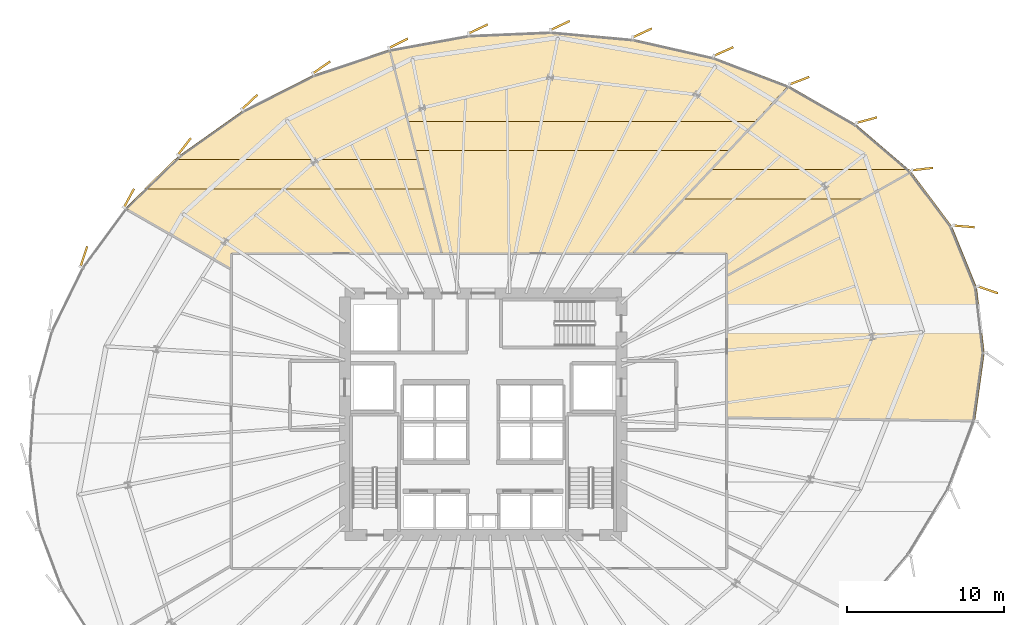
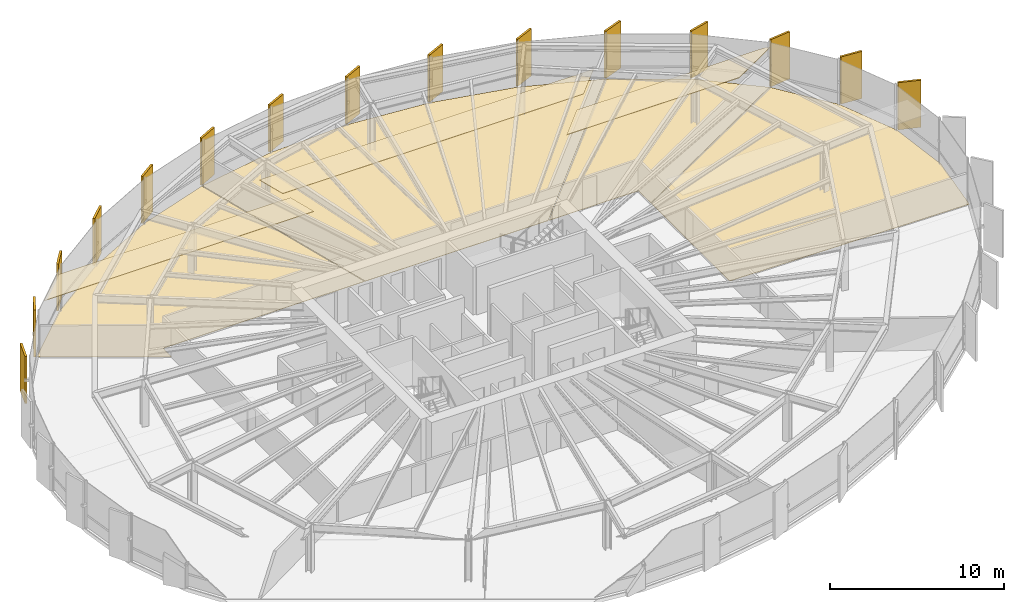
# One storey, part 35 of 35: 22 coverings.
"""IFC4 building model written with IfcOpenShell, lengths in metres."""

from ifc_helpers import new_model, si_unit, direction, frame, origin, origin_2d, place, context, subcontext, project, spatial, polyline, rectangle, outline, extrude, source, transform, mapped, material, layer, layer_set, type_object, element, save


model = new_model("IFC4")

# Units and contexts
model_context = context("Model", 3, precision=1e-05, world=origin(), true_north=direction((0.0, 1.0)))
body_context = subcontext(model_context, "Body", "Model", "MODEL_VIEW")
ifc_project = project(units=[si_unit("LENGTHUNIT", "METRE"), si_unit("AREAUNIT", "SQUARE_METRE"), si_unit("VOLUMEUNIT", "CUBIC_METRE"), si_unit("PLANEANGLEUNIT", "RADIAN"), si_unit("MASSUNIT", "GRAM", prefix="KILO"), si_unit("THERMODYNAMICTEMPERATUREUNIT", "KELVIN")], contexts=[model_context])

# Site, building, storey
site_placement = place(None, origin())
site = spatial("IfcSite", under=ifc_project, at=site_placement, CompositionType="ELEMENT")
building_placement = place(site_placement, origin())
building = spatial("IfcBuilding", under=site, at=building_placement, Name="Kethvar Cultural Tower", CompositionType="ELEMENT")
storey_placement = place(building_placement, frame((0.0, 0.0, 92.800048828125)))
storey = spatial("IfcBuildingStorey", under=building, at=storey_placement, Name="L22", CompositionType="ELEMENT", Elevation=92.800048828125)

# Coverings
ifc_material_1 = material(Name="Acoustic Mineral Fibre Ceiling")
ifc_layer_1 = layer(ifc_material_1, 0.0400390625, Name="Acoustic Mineral Fibre Ceiling")
ifc_layer_set_1 = layer_set([ifc_layer_1], Name="Acoustic Mineral Fibre Ceiling (40 mm)")
covering_type_1 = type_object("IfcCoveringType", Name="CV-ACOUSTIC-CEIL", PredefinedType="CEILING", material=ifc_layer_set_1)
covering_1_placement = place(storey_placement, frame((0.0, 0.0, 2.780029296875)))
element("IfcCovering", 1, at=covering_1_placement, inside=storey, type_object=covering_type_1, Name="L22 Room 06 Acoustic Ceiling Panel", PredefinedType="CEILING", context=body_context, shape_type="SweptSolid", body=[
    extrude(outline(polyline([(74.0732421875, 43.289794921875), (71.01611328125, 41.523681640625), (59.544921875, 41.523681640625), (61.285400390625, 43.3935546875), (73.951904296875, 43.3935546875), (74.0732421875, 43.289794921875)])), origin(), (0.0, 0.0, 1.0), 0.0400390625),
])
covering_2_placement = place(storey_placement, frame((0.0, 0.0, 2.780029296875)))
element("IfcCovering", 2, at=covering_2_placement, inside=storey, type_object=covering_type_1, Name="L22 Room 07 Acoustic Ceiling Panel", PredefinedType="CEILING", context=body_context, shape_type="SweptSolid", body=[
    extrude(outline(polyline([(62.4462890625, 44.582275390625), (42.470458984375, 44.582275390625), (41.990234375, 46.4521484375), (64.1865234375, 46.4521484375), (62.4462890625, 44.582275390625)])), origin(), (0.0, 0.0, 1.0), 0.0400390625),
])
covering_3_placement = place(storey_placement, frame((0.0, 0.0, 2.780029296875)))
element("IfcCovering", 3, at=covering_3_placement, inside=storey, type_object=covering_type_1, Name="L22 Room 08 Acoustic Ceiling Panel", PredefinedType="CEILING", context=body_context, shape_type="SweptSolid", body=[
    extrude(outline(polyline([(43.13818359375, 42.142333984375), (25.2158203125, 42.142333984375), (27.135009765625, 44.012451171875), (42.657958984375, 44.012451171875), (43.13818359375, 42.142333984375)])), origin(), (0.0, 0.0, 1.0), 0.0400390625),
])
ifc_material_2 = material(Name="Architectural Oak Timber", Category="wood")
ifc_layer_2 = layer(ifc_material_2, 0.02490234375, Name="Architectural Oak Timber", Category="wood")
ifc_layer_set_2 = layer_set([ifc_layer_2], Name="Architectural Oak Timber (25 mm)")
covering_type_2 = type_object("IfcCoveringType", Name="CV-OAK-FLOOR", PredefinedType="FLOORING", material=ifc_layer_set_2)
covering_4_placement = place(storey_placement, origin())
element("IfcCovering", 4, at=covering_4_placement, inside=storey, type_object=covering_type_2, Name="L22 Room 05 Floor Finish", PredefinedType="FLOORING", context=body_context, shape_type="SweptSolid", body=[
    extrude(outline(polyline([(78.1259765625, 27.392333984375), (62.330078125, 27.60791015625), (62.330078125, 36.593017578125), (74.0546875, 43.24853515625), (76.656982421875, 39.763671875), (78.239013671875, 35.872314453125), (78.7275390625, 31.699951171875), (78.1259765625, 27.392333984375)])), origin(), (0.0, 0.0, 1.0), 0.02490234375),
])
covering_5_placement = place(storey_placement, origin())
element("IfcCovering", 5, at=covering_5_placement, inside=storey, type_object=covering_type_2, Name="L22 Room 06 Floor Finish", PredefinedType="FLOORING", context=body_context, shape_type="SweptSolid", body=[
    extrude(outline(polyline([(70.526611328125, 46.268798828125), (74.025634765625, 43.278076171875), (62.330078125, 36.638916015625), (62.31396484375, 38.0595703125), (56.376220703125, 38.06005859375), (66.283203125, 48.704833984375), (70.526611328125, 46.268798828125)])), origin(), (0.0, 0.0, 1.0), 0.02490234375),
])
covering_6_placement = place(storey_placement, origin())
element("IfcCovering", 6, at=covering_6_placement, inside=storey, type_object=covering_type_2, Name="L22 Room 07 Floor Finish", PredefinedType="FLOORING", context=body_context, shape_type="SweptSolid", body=[
    extrude(outline(polyline([(45.88720703125, 51.94921875), (51.101806640625, 52.170654296875), (56.35498046875, 51.69482421875), (61.477294921875, 50.53369140625), (66.244384765625, 48.721923828125), (56.321533203125, 38.06005859375), (44.186279296875, 38.06005859375), (40.855712890625, 51.0322265625), (45.88720703125, 51.94921875)])), origin(), (0.0, 0.0, 1.0), 0.02490234375),
])
covering_7_placement = place(storey_placement, origin())
element("IfcCovering", 7, at=covering_7_placement, inside=storey, type_object=covering_type_2, Name="L22 Room 08 Floor Finish", PredefinedType="FLOORING", context=body_context, shape_type="SweptSolid", body=[
    extrude(outline(polyline([(27.464111328125, 44.27734375), (31.501953125, 47.138427734375), (36.0048828125, 49.411865234375), (40.81689453125, 51.022216796875), (44.14501953125, 38.06005859375), (30.76806640625, 38.059814453125), (30.75, 37.064453125), (24.031494140625, 40.9326171875), (27.464111328125, 44.27734375)])), origin(), (0.0, 0.0, 1.0), 0.02490234375),
])
ifc_material_3 = material(Name="Extruded Architectural Terracotta", Category="masonry")
ifc_layer_3 = layer(ifc_material_3, 0.135009765625, Name="Extruded Architectural Terracotta", Category="masonry")
ifc_layer_set_3 = layer_set([ifc_layer_3], Name="Extruded Architectural Terracotta (135 mm)")
covering_type_3 = type_object("IfcCoveringType", Name="Terracotta Facade Fin FIN-02", PredefinedType="CLADDING", material=ifc_layer_set_3)
shared_shape = source(origin(), body_context, "Body", "SweptSolid", [
    extrude(rectangle(XDim=1.35009765625, YDim=0.135009765625, at=origin_2d()), origin(), (0.0, 0.0, 1.0), 3.31005859375),
])
for number, where, z_axis, x_axis, name in (
    (8, (78.955810546875, 35.72314453125, 0.02001953125), (0.0, 0.0, 1.0), (0.945234103797, -0.326393150999, 0.0), "L22 Vertical Terracotta Fin 1.1"),
    (9, (77.41162109375, 39.764892578125, 0.02001953125), (0.0, 0.0, 1.0), (0.996478239533, -0.083851762871, 0.0), "L22 Vertical Terracotta Fin 1.2"),
    (10, (74.78271484375, 43.414306640625, 0.02001953125), (0.0, 0.0, 1.0), (0.993190997297, 0.116497394345, 0.0), "L22 Vertical Terracotta Fin 1.3"),
    (11, (71.229736328125, 46.53076171875, 0.02001953125), (0.0, 0.0, 1.0), (0.965336098699, 0.261009993198, 0.0), "L22 Vertical Terracotta Fin 1.4"),
    (12, (66.93896484375, 49.043701171875, 0.02001953125), (0.0, 0.0, 1.0), (0.935258823614, 0.353964592652, 0.0), "L22 Vertical Terracotta Fin 1.5"),
    (13, (62.117919921875, 50.904296875, 0.02001953125), (0.0, 0.0, 1.0), (0.914324651855, 0.404982013193, 0.0), "L22 Vertical Terracotta Fin 1.6"),
    (14, (56.937744140625, 52.083984375, 0.02001953125), (0.0, 0.0, 1.0), (0.905642821984, 0.424041364714, 0.0), "L22 Vertical Terracotta Fin 2.1"),
    (15, (51.70947265625, 52.55859375, 0.02001953125), (0.0, 0.0, 1.0), (0.904529581968, 0.426410876203, 0.0), "L22 Vertical Terracotta Fin 2.2"),
    (16, (46.481201171875, 52.33544921875, 0.02001953125), (0.0, 0.0, 1.0), (0.90475272618, 0.425937207192, 0.0), "L22 Vertical Terracotta Fin 2.3"),
    (17, (41.409423828125, 51.425048828125, 0.02001953125), (0.0, 0.0, 1.0), (0.894856471762, 0.446354001825, 0.0), "L22 Vertical Terracotta Fin 2.4"),
    (18, (36.515380859375, 49.886962890625, 0.02001953125), (0.0, 0.0, 1.0), (0.821248804935, 0.570570241419, 0.0), "L22 Vertical Terracotta Fin 2.5"),
    (19, (31.936279296875, 47.68408203125, 0.02001953125), (0.0, 0.0, 1.0), (0.727533317557, 0.686072351756, 0.0), "L22 Vertical Terracotta Fin 2.6"),
    (20, (27.780517578125, 44.856689453125, 0.02001953125), (0.0, 0.0, 1.0), (0.612079269346, 0.790796413773, 0.0), "L22 Vertical Terracotta Fin 3.1"),
    (21, (24.253662109375, 41.570556640625, 0.02001953125), (0.0, 0.0, 1.0), (0.473473404412, 0.880808114923, 0.0), "L22 Vertical Terracotta Fin 3.2"),
    (22, (21.376708984375, 37.842529296875, 0.02001953125), (0.0, 0.0, 1.0), (0.310676429631, 0.950515731628, 0.0), "L22 Vertical Terracotta Fin 3.3"),
):
    element("IfcCovering", number, at=place(storey_placement, frame(where, z_axis=z_axis, x_axis=x_axis)), inside=storey, type_object=covering_type_3, Name=name, PredefinedType="CLADDING", context=body_context, shape_type="MappedRepresentation", body=[
        mapped(shared_shape, transform((0.0, 0.0, 0.0), scale=1.0)),
    ])

save(model, "model.ifc")
